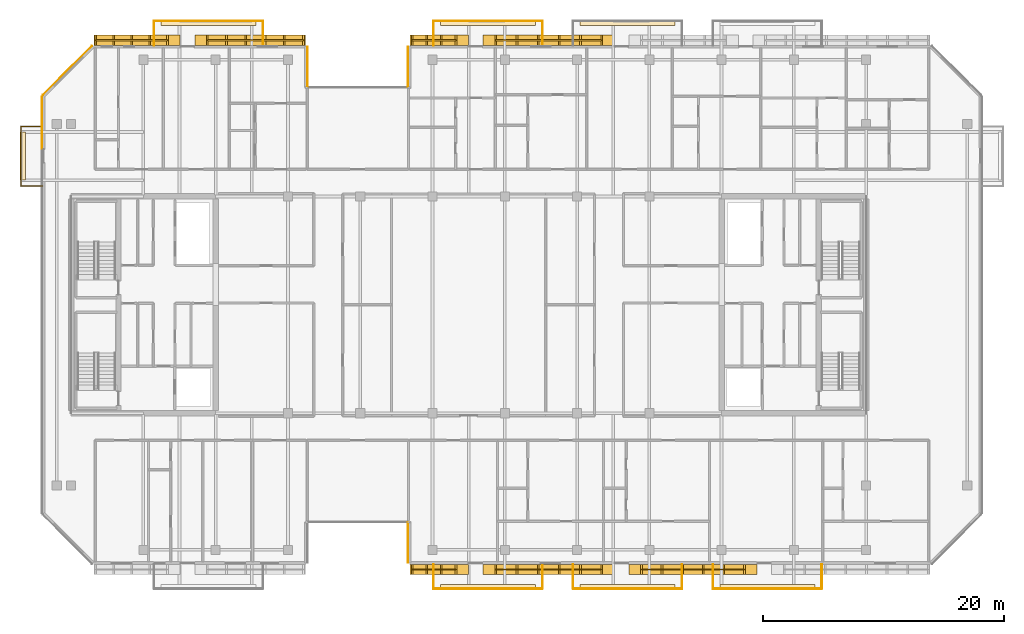
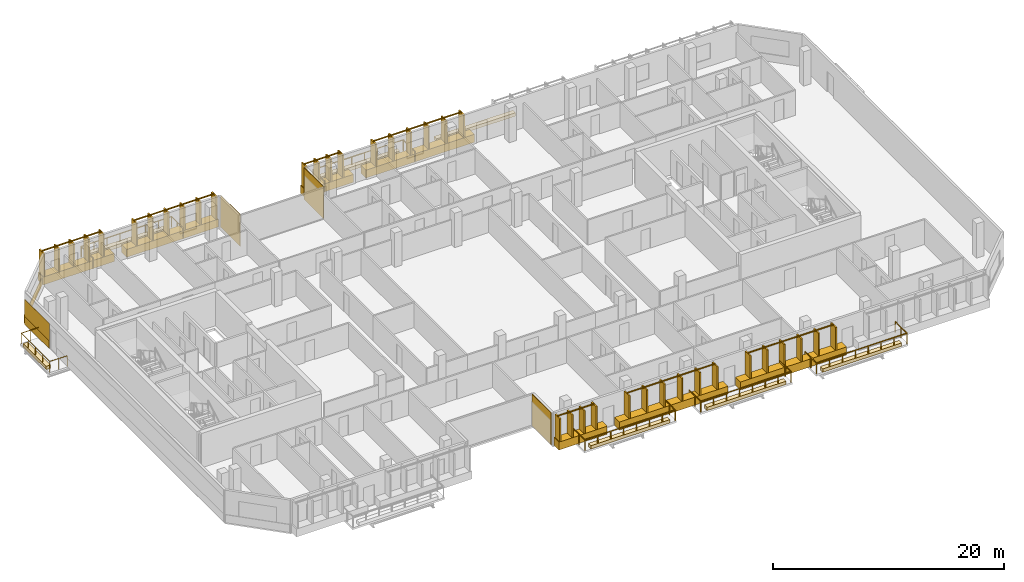
# One storey, part 20 of 23: 20 coverings, 13 railings.
"""IFC4 building model written with IfcOpenShell, lengths in metres."""

from ifc_helpers import new_model, si_unit, direction, frame, origin, origin_2d, place, context, subcontext, project, spatial, polyline, rectangle, outline, extrude, material, layer, layer_set, type_object, element, save


model = new_model("IFC4")

# Units and contexts
model_context = context("Model", 3, precision=1e-05, world=origin(), true_north=direction((0.0, 1.0)))
body_context = subcontext(model_context, "Body", "Model", "MODEL_VIEW")
ifc_project = project(units=[si_unit("LENGTHUNIT", "METRE"), si_unit("AREAUNIT", "SQUARE_METRE"), si_unit("VOLUMEUNIT", "CUBIC_METRE"), si_unit("PLANEANGLEUNIT", "RADIAN"), si_unit("MASSUNIT", "GRAM", prefix="KILO")], contexts=[model_context])

# Site, building, storey
site_placement = place(None, origin())
site = spatial("IfcSite", under=ifc_project, at=site_placement, CompositionType="ELEMENT")
building_placement = place(site_placement, origin())
building = spatial("IfcBuilding", under=site, at=building_placement, Name="Tanjung Sevakor Pilgrim Tower", CompositionType="ELEMENT")
storey_placement = place(building_placement, frame((0.0, 0.0, 215.489990234375)))
storey = spatial("IfcBuildingStorey", under=building, at=storey_placement, Name="L60", CompositionType="ELEMENT", Elevation=215.489990234375)

# Coverings
ifc_material_1 = material(Name="Reconstructed Limestone Cladding", Category="masonry")
ifc_layer_1 = layer(ifc_material_1, 0.044921875)
ifc_layer_set_1 = layer_set([ifc_layer_1], Name="COV-CLAD-LIMESTONE")
covering_type_1 = type_object("IfcCoveringType", Name="COV-CLAD-LIMESTONE", PredefinedType="CLADDING", material=ifc_layer_set_1)
covering_1_placement = place(storey_placement, frame((51.9775390625, 13.860107421875, 0.02001953125), z_axis=(0.0, 0.0, 1.0), x_axis=(0.0, -1.0, 0.0)))
element("IfcCovering", 1, at=covering_1_placement, inside=storey, type_object=covering_type_1, Name="L60 Warm Limestone Wall Cladding EW-L60-MAIN-4", PredefinedType="CLADDING", context=body_context, shape_type="SweptSolid", body=[
    extrude(rectangle(XDim=3.360107421875, YDim=0.044921875, at=origin_2d()), origin(), (0.0, 0.0, 1.0), 3.3701171875),
])
covering_2_placement = place(storey_placement, frame((54.570068359375, 11.6201171875, 0.009765625), z_axis=(0.0, 0.0, 1.0), x_axis=(1.0, 0.0, 0.0)))
element("IfcCovering", 2, at=covering_2_placement, inside=storey, type_object=covering_type_1, Name="L60 Warm Limestone Sill Spandrel EW-L60-MAIN-5-1", PredefinedType="CLADDING", context=body_context, shape_type="SweptSolid", body=[
    extrude(rectangle(XDim=4.840087890625, YDim=0.860107421875, at=origin_2d()), origin(), (0.0, 0.0, 1.0), 0.840087890625),
])
covering_3_placement = place(storey_placement, frame((63.64990234375, 11.6201171875, 0.009765625), z_axis=(0.0, 0.0, 1.0), x_axis=(1.0, 0.0, 0.0)))
element("IfcCovering", 3, at=covering_3_placement, inside=storey, type_object=covering_type_1, Name="L60 Warm Limestone Sill Spandrel EW-L60-MAIN-5-2", PredefinedType="CLADDING", context=body_context, shape_type="SweptSolid", body=[
    extrude(rectangle(XDim=10.8798828125, YDim=0.860107421875, at=origin_2d()), origin(), (0.0, 0.0, 1.0), 0.840087890625),
])
covering_4_placement = place(storey_placement, frame((75.625, 11.6201171875, 0.009765625), z_axis=(0.0, 0.0, 1.0), x_axis=(1.0, 0.0, 0.0)))
element("IfcCovering", 4, at=covering_4_placement, inside=storey, type_object=covering_type_1, Name="L60 Warm Limestone Sill Spandrel EW-L60-MAIN-5-3", PredefinedType="CLADDING", context=body_context, shape_type="SweptSolid", body=[
    extrude(rectangle(XDim=10.6298828125, YDim=0.860107421875, at=origin_2d()), origin(), (0.0, 0.0, 1.0), 0.840087890625),
])
covering_5_placement = place(storey_placement, frame((63.64990234375, 55.580078125, 0.009765625), z_axis=(0.0, 0.0, 1.0), x_axis=(-1.0, 0.0, 0.0)))
element("IfcCovering", 5, at=covering_5_placement, inside=storey, type_object=covering_type_1, Name="L60 Warm Limestone Sill Spandrel EW-L60-MAIN-9-3", PredefinedType="CLADDING", context=body_context, shape_type="SweptSolid", body=[
    extrude(rectangle(XDim=10.8798828125, YDim=0.860107421875, at=origin_2d()), origin(), (0.0, 0.0, 1.0), 0.840087890625),
])
covering_6_placement = place(storey_placement, frame((54.570068359375, 55.580078125, 0.009765625), z_axis=(0.0, 0.0, 1.0), x_axis=(-1.0, 0.0, 0.0)))
element("IfcCovering", 6, at=covering_6_placement, inside=storey, type_object=covering_type_1, Name="L60 Warm Limestone Sill Spandrel EW-L60-MAIN-9-4", PredefinedType="CLADDING", context=body_context, shape_type="SweptSolid", body=[
    extrude(rectangle(XDim=4.840087890625, YDim=0.860107421875, at=origin_2d()), origin(), (0.0, 0.0, 1.0), 0.840087890625),
])
for number, where, z_axis, x_axis, name in (
    (7, (51.9775390625, 53.340087890625, 0.02001953125), (0.0, 0.0, 1.0), (0.0, -1.0, 0.0), "L60 Warm Limestone Wall Cladding EW-L60-MAIN-10"),
    (8, (43.62255859375, 53.340087890625, 0.02001953125), (0.0, 0.0, 1.0), (0.0, 1.0, 0.0), "L60 Warm Limestone Wall Cladding EW-L60-MAIN-12"),
):
    element("IfcCovering", number, at=place(storey_placement, frame(where, z_axis=z_axis, x_axis=x_axis)), inside=storey, type_object=covering_type_1, Name=name, PredefinedType="CLADDING", context=body_context, shape_type="SweptSolid", body=[
        extrude(rectangle(XDim=3.360107421875, YDim=0.044921875, at=origin_2d()), origin(), (0.0, 0.0, 1.0), 3.3701171875),
    ])
covering_7_placement = place(storey_placement, frame((38.85498046875, 55.580078125, 0.009765625), z_axis=(0.0, 0.0, 1.0), x_axis=(-1.0, 0.0, 0.0)))
element("IfcCovering", 9, at=covering_7_placement, inside=storey, type_object=covering_type_1, Name="L60 Warm Limestone Sill Spandrel EW-L60-MAIN-13-1", PredefinedType="CLADDING", context=body_context, shape_type="SweptSolid", body=[
    extrude(rectangle(XDim=9.18994140625, YDim=0.860107421875, at=origin_2d()), origin(), (0.0, 0.0, 1.0), 0.840087890625),
])
covering_8_placement = place(storey_placement, frame((29.462890625, 55.580078125, 0.009765625), z_axis=(0.0, 0.0, 1.0), x_axis=(-1.0, 0.0, 0.0)))
element("IfcCovering", 10, at=covering_8_placement, inside=storey, type_object=covering_type_1, Name="L60 Warm Limestone Sill Spandrel EW-L60-MAIN-13-2", PredefinedType="CLADDING", context=body_context, shape_type="SweptSolid", body=[
    extrude(rectangle(XDim=7.154296875, YDim=0.860107421875, at=origin_2d()), origin(), (0.0, 0.0, 1.0), 0.840087890625),
])
covering_9_placement = place(storey_placement, frame((23.68408203125, 53.06591796875, 0.009765625), z_axis=(0.0, 0.0, 1.0), x_axis=(-0.707106781187, -0.707106781187, 0.0)))
element("IfcCovering", 11, at=covering_9_placement, inside=storey, type_object=covering_type_1, Name="L60 Warm Limestone Sill Spandrel EW-CHM-L60-MAIN-13-1", PredefinedType="CLADDING", context=body_context, shape_type="SweptSolid", body=[
    extrude(rectangle(XDim=5.7685546875, YDim=0.044921875, at=origin_2d()), origin(), (0.0, 0.0, 1.0), 0.840087890625),
])
covering_10_placement = place(storey_placement, frame((21.577392578125, 48.712158203125, 0.009765625), z_axis=(0.0, 0.0, 1.0), x_axis=(0.0, -1.0, 0.0)))
element("IfcCovering", 12, at=covering_10_placement, inside=storey, type_object=covering_type_1, Name="L60 Warm Limestone Sill Spandrel EW-L60-MAIN-15-1", PredefinedType="CLADDING", context=body_context, shape_type="SweptSolid", body=[
    extrude(rectangle(XDim=4.304443359375, YDim=0.044921875, at=origin_2d()), origin(), (0.0, 0.0, 1.0), 0.840087890625),
])
covering_11_placement = place(storey_placement, frame((21.577392578125, 48.707275390625, 0.85009765625), z_axis=(0.0, 0.0, 1.0), x_axis=(0.0, -1.0, 0.0)))
element("IfcCovering", 13, at=covering_11_placement, inside=storey, type_object=covering_type_1, Name="L60 Warm Limestone Pier Panel EW-L60-MAIN-15-1", PredefinedType="CLADDING", context=body_context, shape_type="SweptSolid", body=[
    extrude(rectangle(XDim=4.314453125, YDim=0.044921875, at=origin_2d()), origin(), (0.0, 0.0, 1.0), 1.81005859375),
])
ifc_material_2 = material(Name="Vegetated Modular Planter Assembly", Category="organic")
ifc_layer_2 = layer(ifc_material_2, 0.35009765625)
ifc_layer_set_2 = layer_set([ifc_layer_2], Name="COV-GRN-TROUGH")
covering_type_2 = type_object("IfcCoveringType", Name="COV-GRN-TROUGH", PredefinedType="CLADDING", material=ifc_layer_set_2)
covering_12_placement = place(storey_placement, origin())
element("IfcCovering", 14, at=covering_12_placement, inside=storey, type_object=covering_type_2, Name="L60 Planted Landscape Hedge Trough BGRN-L60-MAIN-N1", PredefinedType="CLADDING", context=body_context, shape_type="SweptSolid", body=[
    extrude(outline(polyline([(31.449951171875, 56.81005859375), (39.35009765625, 56.81005859375), (39.35009765625, 57.25), (31.449951171875, 57.25), (31.449951171875, 56.81005859375)])), origin(), (0.0, 0.0, 1.0), 0.35009765625),
])
covering_13_placement = place(storey_placement, origin())
element("IfcCovering", 15, at=covering_13_placement, inside=storey, type_object=covering_type_2, Name="L60 Planted Landscape Hedge Trough BGRN-L60-MAIN-S2", PredefinedType="CLADDING", context=body_context, shape_type="SweptSolid", body=[
    extrude(outline(polyline([(54.64990234375, 9.949951171875), (62.550048828125, 9.949951171875), (62.550048828125, 10.389892578125), (54.64990234375, 10.389892578125), (54.64990234375, 9.949951171875)])), origin(), (0.0, 0.0, 1.0), 0.35009765625),
])
covering_14_placement = place(storey_placement, origin())
element("IfcCovering", 16, at=covering_14_placement, inside=storey, type_object=covering_type_2, Name="L60 Planted Landscape Hedge Trough BGRN-L60-MAIN-N2", PredefinedType="CLADDING", context=body_context, shape_type="SweptSolid", body=[
    extrude(outline(polyline([(54.64990234375, 56.81005859375), (62.550048828125, 56.81005859375), (62.550048828125, 57.25), (54.64990234375, 57.25), (54.64990234375, 56.81005859375)])), origin(), (0.0, 0.0, 1.0), 0.35009765625),
])
covering_15_placement = place(storey_placement, origin())
element("IfcCovering", 17, at=covering_15_placement, inside=storey, type_object=covering_type_2, Name="L60 Planted Landscape Hedge Trough BGRN-L60-MAIN-S3", PredefinedType="CLADDING", context=body_context, shape_type="SweptSolid", body=[
    extrude(outline(polyline([(66.25, 9.949951171875), (74.14990234375, 9.949951171875), (74.14990234375, 10.389892578125), (66.25, 10.389892578125), (66.25, 9.949951171875)])), origin(), (0.0, 0.0, 1.0), 0.35009765625),
])
covering_16_placement = place(storey_placement, origin())
element("IfcCovering", 18, at=covering_16_placement, inside=storey, type_object=covering_type_2, Name="L60 Planted Landscape Hedge Trough BGRN-L60-MAIN-N3", PredefinedType="CLADDING", context=body_context, shape_type="SweptSolid", body=[
    extrude(outline(polyline([(66.25, 56.81005859375), (74.14990234375, 56.81005859375), (74.14990234375, 57.25), (66.25, 57.25), (66.25, 56.81005859375)])), origin(), (0.0, 0.0, 1.0), 0.35009765625),
])
covering_17_placement = place(storey_placement, origin())
element("IfcCovering", 19, at=covering_17_placement, inside=storey, type_object=covering_type_2, Name="L60 Planted Landscape Hedge Trough BGRN-L60-MAIN-S4", PredefinedType="CLADDING", context=body_context, shape_type="SweptSolid", body=[
    extrude(outline(polyline([(77.85009765625, 9.949951171875), (85.75, 9.949951171875), (85.75, 10.389892578125), (77.85009765625, 10.389892578125), (77.85009765625, 9.949951171875)])), origin(), (0.0, 0.0, 1.0), 0.35009765625),
])
covering_18_placement = place(storey_placement, origin())
element("IfcCovering", 20, at=covering_18_placement, inside=storey, type_object=covering_type_2, Name="L60 Planted Landscape Hedge Trough BGRN-L60-MAIN-W1", PredefinedType="CLADDING", context=body_context, shape_type="SweptSolid", body=[
    extrude(outline(polyline([(20.18994140625, 43.949951171875), (20.18994140625, 47.949951171875), (19.75, 47.949951171875), (19.75, 43.949951171875), (20.18994140625, 43.949951171875)])), origin(), (0.0, 0.0, 1.0), 0.35009765625),
])

# Railings
ifc_material_3 = material(Name="Laminated Glass and Aluminium", Category="aluminium")
railing_type_1 = type_object("IfcRailingType", Name="RL-BAL-BALUST", PredefinedType="BALUSTRADE", material=ifc_material_3)
railing_1_placement = place(storey_placement, frame((30.8798828125, 55.14990234375, 0.0)))
element("IfcRailing", 21, at=railing_1_placement, inside=storey, type_object=railing_type_1, Name="L60 Loggia Balustrade MAIN-N1", PredefinedType="BALUSTRADE", context=body_context, shape_type="SweptSolid", body=[
    extrude(rectangle(XDim=0.0479, YDim=0.0479), frame((0.0, 0.0, 1.1259765625), z_axis=(0.0, 1.0, 0.0), x_axis=(-1.0, 0.0, 0.0)), (0.0, 0.0, 1.0), 2.02001953125),
    extrude(rectangle(XDim=0.0479, YDim=0.0479), frame((0.0, 2.02001953125, 1.1259765625), z_axis=(1.0, 0.0, 0.0), x_axis=(0.0, 1.0, 0.0)), (0.0, 0.0, 1.0), 9.0400390625),
    extrude(rectangle(XDim=0.0479, YDim=0.0479), frame((9.0400390625, 2.02001953125, 1.1259765625), z_axis=(0.0, -1.0, 0.0), x_axis=(1.0, 0.0, 0.0)), (0.0, 0.0, 1.0), 2.02001953125),
    extrude(rectangle(XDim=0.042, YDim=0.042), origin(), (0.0, 0.0, 1.0), 1.101806640625),
    extrude(rectangle(XDim=0.042, YDim=0.042), frame((0.0, 1.010009765625, 0.0)), (0.0, 0.0, 1.0), 1.101806640625),
    extrude(rectangle(XDim=0.042, YDim=0.042), frame((0.0, 2.02001953125, 0.0)), (0.0, 0.0, 1.0), 1.101806640625),
    extrude(rectangle(XDim=0.042, YDim=0.042), frame((1.29150390625, 2.02001953125, 0.0)), (0.0, 0.0, 1.0), 1.101806640625),
    extrude(rectangle(XDim=0.042, YDim=0.042), frame((2.582763671875, 2.02001953125, 0.0)), (0.0, 0.0, 1.0), 1.101806640625),
    extrude(rectangle(XDim=0.042, YDim=0.042), frame((3.874267578125, 2.02001953125, 0.0)), (0.0, 0.0, 1.0), 1.101806640625),
    extrude(rectangle(XDim=0.042, YDim=0.042), frame((5.165771484375, 2.02001953125, 0.0)), (0.0, 0.0, 1.0), 1.101806640625),
    extrude(rectangle(XDim=0.042, YDim=0.042), frame((6.457275390625, 2.02001953125, 0.0)), (0.0, 0.0, 1.0), 1.101806640625),
    extrude(rectangle(XDim=0.042, YDim=0.042), frame((7.74853515625, 2.02001953125, 0.0)), (0.0, 0.0, 1.0), 1.101806640625),
    extrude(rectangle(XDim=0.042, YDim=0.042), frame((9.0400390625, 2.02001953125, 0.0)), (0.0, 0.0, 1.0), 1.101806640625),
    extrude(rectangle(XDim=0.042, YDim=0.042), frame((9.0400390625, 1.010009765625, 0.0)), (0.0, 0.0, 1.0), 1.101806640625),
    extrude(rectangle(XDim=0.042, YDim=0.042), frame((9.0400390625, 0.0, 0.0)), (0.0, 0.0, 1.0), 1.101806640625),
])
railing_2_placement = place(storey_placement, frame((54.080078125, 12.050048828125, 0.0)))
element("IfcRailing", 22, at=railing_2_placement, inside=storey, type_object=railing_type_1, Name="L60 Loggia Balustrade MAIN-S2", PredefinedType="BALUSTRADE", context=body_context, shape_type="SweptSolid", body=[
    extrude(rectangle(XDim=0.0479, YDim=0.0479), frame((0.0, 0.0, 1.1259765625), z_axis=(0.0, -1.0, 0.0), x_axis=(1.0, 0.0, 0.0)), (0.0, 0.0, 1.0), 2.02001953125),
    extrude(rectangle(XDim=0.0479, YDim=0.0479), frame((0.0, -2.02001953125, 1.1259765625), z_axis=(1.0, 0.0, 0.0), x_axis=(0.0, 1.0, 0.0)), (0.0, 0.0, 1.0), 9.0400390625),
    extrude(rectangle(XDim=0.0479, YDim=0.0479), frame((9.0400390625, -2.02001953125, 1.1259765625), z_axis=(0.0, 1.0, 0.0), x_axis=(-1.0, 0.0, 0.0)), (0.0, 0.0, 1.0), 2.02001953125),
    extrude(rectangle(XDim=0.042, YDim=0.042), origin(), (0.0, 0.0, 1.0), 1.101806640625),
    extrude(rectangle(XDim=0.042, YDim=0.042), frame((0.0, -1.010009765625, 0.0)), (0.0, 0.0, 1.0), 1.101806640625),
    extrude(rectangle(XDim=0.042, YDim=0.042), frame((0.0, -2.02001953125, 0.0)), (0.0, 0.0, 1.0), 1.101806640625),
    extrude(rectangle(XDim=0.042, YDim=0.042), frame((1.29150390625, -2.02001953125, 0.0)), (0.0, 0.0, 1.0), 1.101806640625),
    extrude(rectangle(XDim=0.042, YDim=0.042), frame((2.582763671875, -2.02001953125, 0.0)), (0.0, 0.0, 1.0), 1.101806640625),
    extrude(rectangle(XDim=0.042, YDim=0.042), frame((3.874267578125, -2.02001953125, 0.0)), (0.0, 0.0, 1.0), 1.101806640625),
    extrude(rectangle(XDim=0.042, YDim=0.042), frame((5.165771484375, -2.02001953125, 0.0)), (0.0, 0.0, 1.0), 1.101806640625),
    extrude(rectangle(XDim=0.042, YDim=0.042), frame((6.457275390625, -2.02001953125, 0.0)), (0.0, 0.0, 1.0), 1.101806640625),
    extrude(rectangle(XDim=0.042, YDim=0.042), frame((7.74853515625, -2.02001953125, 0.0)), (0.0, 0.0, 1.0), 1.101806640625),
    extrude(rectangle(XDim=0.042, YDim=0.042), frame((9.0400390625, -2.02001953125, 0.0)), (0.0, 0.0, 1.0), 1.101806640625),
    extrude(rectangle(XDim=0.042, YDim=0.042), frame((9.0400390625, -1.010009765625, 0.0)), (0.0, 0.0, 1.0), 1.101806640625),
    extrude(rectangle(XDim=0.042, YDim=0.042), frame((9.0400390625, 0.0, 0.0)), (0.0, 0.0, 1.0), 1.101806640625),
])
railing_3_placement = place(storey_placement, frame((54.080078125, 55.14990234375, 0.0)))
element("IfcRailing", 23, at=railing_3_placement, inside=storey, type_object=railing_type_1, Name="L60 Loggia Balustrade MAIN-N2", PredefinedType="BALUSTRADE", context=body_context, shape_type="SweptSolid", body=[
    extrude(rectangle(XDim=0.0479, YDim=0.0479), frame((0.0, 0.0, 1.1259765625), z_axis=(0.0, 1.0, 0.0), x_axis=(-1.0, 0.0, 0.0)), (0.0, 0.0, 1.0), 2.02001953125),
    extrude(rectangle(XDim=0.0479, YDim=0.0479), frame((0.0, 2.02001953125, 1.1259765625), z_axis=(1.0, 0.0, 0.0), x_axis=(0.0, 1.0, 0.0)), (0.0, 0.0, 1.0), 9.0400390625),
    extrude(rectangle(XDim=0.0479, YDim=0.0479), frame((9.0400390625, 2.02001953125, 1.1259765625), z_axis=(0.0, -1.0, 0.0), x_axis=(1.0, 0.0, 0.0)), (0.0, 0.0, 1.0), 2.02001953125),
    extrude(rectangle(XDim=0.042, YDim=0.042), origin(), (0.0, 0.0, 1.0), 1.101806640625),
    extrude(rectangle(XDim=0.042, YDim=0.042), frame((0.0, 1.010009765625, 0.0)), (0.0, 0.0, 1.0), 1.101806640625),
    extrude(rectangle(XDim=0.042, YDim=0.042), frame((0.0, 2.02001953125, 0.0)), (0.0, 0.0, 1.0), 1.101806640625),
    extrude(rectangle(XDim=0.042, YDim=0.042), frame((1.29150390625, 2.02001953125, 0.0)), (0.0, 0.0, 1.0), 1.101806640625),
    extrude(rectangle(XDim=0.042, YDim=0.042), frame((2.582763671875, 2.02001953125, 0.0)), (0.0, 0.0, 1.0), 1.101806640625),
    extrude(rectangle(XDim=0.042, YDim=0.042), frame((3.874267578125, 2.02001953125, 0.0)), (0.0, 0.0, 1.0), 1.101806640625),
    extrude(rectangle(XDim=0.042, YDim=0.042), frame((5.165771484375, 2.02001953125, 0.0)), (0.0, 0.0, 1.0), 1.101806640625),
    extrude(rectangle(XDim=0.042, YDim=0.042), frame((6.457275390625, 2.02001953125, 0.0)), (0.0, 0.0, 1.0), 1.101806640625),
    extrude(rectangle(XDim=0.042, YDim=0.042), frame((7.74853515625, 2.02001953125, 0.0)), (0.0, 0.0, 1.0), 1.101806640625),
    extrude(rectangle(XDim=0.042, YDim=0.042), frame((9.0400390625, 2.02001953125, 0.0)), (0.0, 0.0, 1.0), 1.101806640625),
    extrude(rectangle(XDim=0.042, YDim=0.042), frame((9.0400390625, 1.010009765625, 0.0)), (0.0, 0.0, 1.0), 1.101806640625),
    extrude(rectangle(XDim=0.042, YDim=0.042), frame((9.0400390625, 0.0, 0.0)), (0.0, 0.0, 1.0), 1.101806640625),
])
railing_4_placement = place(storey_placement, frame((65.679931640625, 12.050048828125, 0.0)))
element("IfcRailing", 24, at=railing_4_placement, inside=storey, type_object=railing_type_1, Name="L60 Loggia Balustrade MAIN-S3", PredefinedType="BALUSTRADE", context=body_context, shape_type="SweptSolid", body=[
    extrude(rectangle(XDim=0.0479, YDim=0.0479), frame((0.0, 0.0, 1.1259765625), z_axis=(0.0, -1.0, 0.0), x_axis=(1.0, 0.0, 0.0)), (0.0, 0.0, 1.0), 2.02001953125),
    extrude(rectangle(XDim=0.0479, YDim=0.0479), frame((0.0, -2.02001953125, 1.1259765625), z_axis=(1.0, 0.0, 0.0), x_axis=(0.0, 1.0, 0.0)), (0.0, 0.0, 1.0), 9.0400390625),
    extrude(rectangle(XDim=0.0479, YDim=0.0479), frame((9.0400390625, -2.02001953125, 1.1259765625), z_axis=(0.0, 1.0, 0.0), x_axis=(-1.0, 0.0, 0.0)), (0.0, 0.0, 1.0), 2.02001953125),
    extrude(rectangle(XDim=0.042, YDim=0.042), origin(), (0.0, 0.0, 1.0), 1.101806640625),
    extrude(rectangle(XDim=0.042, YDim=0.042), frame((0.0, -1.010009765625, 0.0)), (0.0, 0.0, 1.0), 1.101806640625),
    extrude(rectangle(XDim=0.042, YDim=0.042), frame((0.0, -2.02001953125, 0.0)), (0.0, 0.0, 1.0), 1.101806640625),
    extrude(rectangle(XDim=0.042, YDim=0.042), frame((1.29150390625, -2.02001953125, 0.0)), (0.0, 0.0, 1.0), 1.101806640625),
    extrude(rectangle(XDim=0.042, YDim=0.042), frame((2.582763671875, -2.02001953125, 0.0)), (0.0, 0.0, 1.0), 1.101806640625),
    extrude(rectangle(XDim=0.042, YDim=0.042), frame((3.874267578125, -2.02001953125, 0.0)), (0.0, 0.0, 1.0), 1.101806640625),
    extrude(rectangle(XDim=0.042, YDim=0.042), frame((5.165771484375, -2.02001953125, 0.0)), (0.0, 0.0, 1.0), 1.101806640625),
    extrude(rectangle(XDim=0.042, YDim=0.042), frame((6.457275390625, -2.02001953125, 0.0)), (0.0, 0.0, 1.0), 1.101806640625),
    extrude(rectangle(XDim=0.042, YDim=0.042), frame((7.74853515625, -2.02001953125, 0.0)), (0.0, 0.0, 1.0), 1.101806640625),
    extrude(rectangle(XDim=0.042, YDim=0.042), frame((9.0400390625, -2.02001953125, 0.0)), (0.0, 0.0, 1.0), 1.101806640625),
    extrude(rectangle(XDim=0.042, YDim=0.042), frame((9.0400390625, -1.010009765625, 0.0)), (0.0, 0.0, 1.0), 1.101806640625),
    extrude(rectangle(XDim=0.042, YDim=0.042), frame((9.0400390625, 0.0, 0.0)), (0.0, 0.0, 1.0), 1.101806640625),
])
railing_5_placement = place(storey_placement, frame((77.280029296875, 12.050048828125, 0.0)))
element("IfcRailing", 25, at=railing_5_placement, inside=storey, type_object=railing_type_1, Name="L60 Loggia Balustrade MAIN-S4", PredefinedType="BALUSTRADE", context=body_context, shape_type="SweptSolid", body=[
    extrude(rectangle(XDim=0.0479, YDim=0.0479), frame((0.0, 0.0, 1.1259765625), z_axis=(0.0, -1.0, 0.0), x_axis=(1.0, 0.0, 0.0)), (0.0, 0.0, 1.0), 2.02001953125),
    extrude(rectangle(XDim=0.0479, YDim=0.0479), frame((0.0, -2.02001953125, 1.1259765625), z_axis=(1.0, 0.0, 0.0), x_axis=(0.0, 1.0, 0.0)), (0.0, 0.0, 1.0), 9.0400390625),
    extrude(rectangle(XDim=0.0479, YDim=0.0479), frame((9.0400390625, -2.02001953125, 1.1259765625), z_axis=(0.0, 1.0, 0.0), x_axis=(-1.0, 0.0, 0.0)), (0.0, 0.0, 1.0), 2.02001953125),
    extrude(rectangle(XDim=0.042, YDim=0.042), origin(), (0.0, 0.0, 1.0), 1.101806640625),
    extrude(rectangle(XDim=0.042, YDim=0.042), frame((0.0, -1.010009765625, 0.0)), (0.0, 0.0, 1.0), 1.101806640625),
    extrude(rectangle(XDim=0.042, YDim=0.042), frame((0.0, -2.02001953125, 0.0)), (0.0, 0.0, 1.0), 1.101806640625),
    extrude(rectangle(XDim=0.042, YDim=0.042), frame((1.29150390625, -2.02001953125, 0.0)), (0.0, 0.0, 1.0), 1.101806640625),
    extrude(rectangle(XDim=0.042, YDim=0.042), frame((2.582763671875, -2.02001953125, 0.0)), (0.0, 0.0, 1.0), 1.101806640625),
    extrude(rectangle(XDim=0.042, YDim=0.042), frame((3.874267578125, -2.02001953125, 0.0)), (0.0, 0.0, 1.0), 1.101806640625),
    extrude(rectangle(XDim=0.042, YDim=0.042), frame((5.165771484375, -2.02001953125, 0.0)), (0.0, 0.0, 1.0), 1.101806640625),
    extrude(rectangle(XDim=0.042, YDim=0.042), frame((6.457275390625, -2.02001953125, 0.0)), (0.0, 0.0, 1.0), 1.101806640625),
    extrude(rectangle(XDim=0.042, YDim=0.042), frame((7.74853515625, -2.02001953125, 0.0)), (0.0, 0.0, 1.0), 1.101806640625),
    extrude(rectangle(XDim=0.042, YDim=0.042), frame((9.0400390625, -2.02001953125, 0.0)), (0.0, 0.0, 1.0), 1.101806640625),
    extrude(rectangle(XDim=0.042, YDim=0.042), frame((9.0400390625, -1.010009765625, 0.0)), (0.0, 0.0, 1.0), 1.101806640625),
    extrude(rectangle(XDim=0.042, YDim=0.042), frame((9.0400390625, 0.0, 0.0)), (0.0, 0.0, 1.0), 1.101806640625),
])
railing_6_placement = place(storey_placement, frame((21.60009765625, 43.47998046875, 0.0)))
element("IfcRailing", 26, at=railing_6_placement, inside=storey, type_object=railing_type_1, Name="L60 Loggia Balustrade MAIN-W1", PredefinedType="BALUSTRADE", context=body_context, shape_type="SweptSolid", body=[
    extrude(rectangle(XDim=0.0479, YDim=0.0479), frame((0.0, 0.0, 1.1259765625), z_axis=(-1.0, 0.0, 0.0), x_axis=(0.0, -1.0, 0.0)), (0.0, 0.0, 1.0), 1.77001953125),
    extrude(rectangle(XDim=0.0479, YDim=0.0479), frame((-1.77001953125, 0.0, 1.1259765625), z_axis=(0.0, 1.0, 0.0), x_axis=(-1.0, 0.0, 0.0)), (0.0, 0.0, 1.0), 4.93994140625),
    extrude(rectangle(XDim=0.0479, YDim=0.0479), frame((-1.77001953125, 4.93994140625, 1.1259765625), z_axis=(1.0, 0.0, 0.0), x_axis=(0.0, 1.0, 0.0)), (0.0, 0.0, 1.0), 1.77001953125),
    extrude(rectangle(XDim=0.042, YDim=0.042), origin(), (0.0, 0.0, 1.0), 1.101806640625),
    extrude(rectangle(XDim=0.042, YDim=0.042), frame((-0.885009765625, 0.0, 0.0)), (0.0, 0.0, 1.0), 1.101806640625),
    extrude(rectangle(XDim=0.042, YDim=0.042), frame((-1.77001953125, 0.0, 0.0)), (0.0, 0.0, 1.0), 1.101806640625),
    extrude(rectangle(XDim=0.042, YDim=0.042), frame((-1.77001953125, 1.23486328125, 0.0)), (0.0, 0.0, 1.0), 1.101806640625),
    extrude(rectangle(XDim=0.042, YDim=0.042), frame((-1.77001953125, 2.469970703125, 0.0)), (0.0, 0.0, 1.0), 1.101806640625),
    extrude(rectangle(XDim=0.042, YDim=0.042), frame((-1.77001953125, 3.705078125, 0.0)), (0.0, 0.0, 1.0), 1.101806640625),
    extrude(rectangle(XDim=0.042, YDim=0.042), frame((-1.77001953125, 4.93994140625, 0.0)), (0.0, 0.0, 1.0), 1.101806640625),
    extrude(rectangle(XDim=0.042, YDim=0.042), frame((-0.885009765625, 4.93994140625, 0.0)), (0.0, 0.0, 1.0), 1.101806640625),
    extrude(rectangle(XDim=0.042, YDim=0.042), frame((0.0, 4.93994140625, 0.0)), (0.0, 0.0, 1.0), 1.101806640625),
])
ifc_material_4 = material(Name="Anodised Bronze Aluminium 6063-T6", Category="aluminium")
railing_type_2 = type_object("IfcRailingType", Name="RL-FIN-SCREEN", PredefinedType="BALUSTRADE", material=ifc_material_4)
railing_7_placement = place(storey_placement, frame((52.31005859375, 11.625, 0.840087890625)))
element("IfcRailing", 27, at=railing_7_placement, inside=storey, type_object=railing_type_2, Name="L60 Vertical Bronze-Gold Solar Fin Screen FNSCR-EW-L60-MAIN-5-1", PredefinedType="BALUSTRADE", context=body_context, shape_type="SweptSolid", body=[
    extrude(rectangle(XDim=0.105, YDim=0.105), frame((0.0, 0.0, 2.487548828125), z_axis=(1.0, 0.0, 0.0), x_axis=(0.0, 1.0, 0.0)), (0.0, 0.0, 1.0), 3.639892578125),
    extrude(rectangle(XDim=0.14, YDim=0.85), origin(), (0.0, 0.0, 1.0), 2.43505859375),
    extrude(rectangle(XDim=0.14, YDim=0.85), frame((1.21337890625, 0.0, 0.0)), (0.0, 0.0, 1.0), 2.43505859375),
    extrude(rectangle(XDim=0.14, YDim=0.85), frame((2.426513671875, 0.0, 0.0)), (0.0, 0.0, 1.0), 2.43505859375),
    extrude(rectangle(XDim=0.14, YDim=0.85), frame((3.639892578125, 0.0, 0.0)), (0.0, 0.0, 1.0), 2.43505859375),
])
railing_8_placement = place(storey_placement, frame((59.25, 11.625, 0.840087890625)))
element("IfcRailing", 28, at=railing_8_placement, inside=storey, type_object=railing_type_2, Name="L60 Vertical Bronze-Gold Solar Fin Screen FNSCR-EW-L60-MAIN-5-2", PredefinedType="BALUSTRADE", context=body_context, shape_type="SweptSolid", body=[
    extrude(rectangle(XDim=0.105, YDim=0.105), frame((0.0, 0.0, 2.487548828125), z_axis=(1.0, 0.0, 0.0), x_axis=(0.0, 1.0, 0.0)), (0.0, 0.0, 1.0), 8.800048828125),
    extrude(rectangle(XDim=0.14, YDim=0.85), origin(), (0.0, 0.0, 1.0), 2.43505859375),
    extrude(rectangle(XDim=0.14, YDim=0.85), frame((1.760009765625, 0.0, 0.0)), (0.0, 0.0, 1.0), 2.43505859375),
    extrude(rectangle(XDim=0.14, YDim=0.85), frame((3.52001953125, 0.0, 0.0)), (0.0, 0.0, 1.0), 2.43505859375),
    extrude(rectangle(XDim=0.14, YDim=0.85), frame((5.280029296875, 0.0, 0.0)), (0.0, 0.0, 1.0), 2.43505859375),
    extrude(rectangle(XDim=0.14, YDim=0.85), frame((7.0400390625, 0.0, 0.0)), (0.0, 0.0, 1.0), 2.43505859375),
    extrude(rectangle(XDim=0.14, YDim=0.85), frame((8.800048828125, 0.0, 0.0)), (0.0, 0.0, 1.0), 2.43505859375),
])
railing_9_placement = place(storey_placement, frame((71.35009765625, 11.625, 0.840087890625)))
element("IfcRailing", 29, at=railing_9_placement, inside=storey, type_object=railing_type_2, Name="L60 Vertical Bronze-Gold Solar Fin Screen FNSCR-EW-L60-MAIN-5-3", PredefinedType="BALUSTRADE", context=body_context, shape_type="SweptSolid", body=[
    extrude(rectangle(XDim=0.105, YDim=0.105), frame((0.0, 0.0, 2.487548828125), z_axis=(1.0, 0.0, 0.0), x_axis=(0.0, 1.0, 0.0)), (0.0, 0.0, 1.0), 8.5498046875),
    extrude(rectangle(XDim=0.14, YDim=0.85), origin(), (0.0, 0.0, 1.0), 2.43505859375),
    extrude(rectangle(XDim=0.14, YDim=0.85), frame((1.7099609375, 0.0, 0.0)), (0.0, 0.0, 1.0), 2.43505859375),
    extrude(rectangle(XDim=0.14, YDim=0.85), frame((3.419921875, 0.0, 0.0)), (0.0, 0.0, 1.0), 2.43505859375),
    extrude(rectangle(XDim=0.14, YDim=0.85), frame((5.1298828125, 0.0, 0.0)), (0.0, 0.0, 1.0), 2.43505859375),
    extrude(rectangle(XDim=0.14, YDim=0.85), frame((6.83984375, 0.0, 0.0)), (0.0, 0.0, 1.0), 2.43505859375),
    extrude(rectangle(XDim=0.14, YDim=0.85), frame((8.5498046875, 0.0, 0.0)), (0.0, 0.0, 1.0), 2.43505859375),
])
railing_10_placement = place(storey_placement, frame((68.050048828125, 55.574951171875, 0.840087890625)))
element("IfcRailing", 30, at=railing_10_placement, inside=storey, type_object=railing_type_2, Name="L60 Vertical Bronze-Gold Solar Fin Screen FNSCR-EW-L60-MAIN-9-3", PredefinedType="BALUSTRADE", context=body_context, shape_type="SweptSolid", body=[
    extrude(rectangle(XDim=0.105, YDim=0.105), frame((0.0, 0.0, 2.487548828125), z_axis=(-1.0, 0.0, 0.0), x_axis=(0.0, -1.0, 0.0)), (0.0, 0.0, 1.0), 8.800048828125),
    extrude(rectangle(XDim=0.14, YDim=0.85), origin(), (0.0, 0.0, 1.0), 2.43505859375),
    extrude(rectangle(XDim=0.14, YDim=0.85), frame((-1.760009765625, 0.0, 0.0)), (0.0, 0.0, 1.0), 2.43505859375),
    extrude(rectangle(XDim=0.14, YDim=0.85), frame((-3.52001953125, 0.0, 0.0)), (0.0, 0.0, 1.0), 2.43505859375),
    extrude(rectangle(XDim=0.14, YDim=0.85), frame((-5.280029296875, 0.0, 0.0)), (0.0, 0.0, 1.0), 2.43505859375),
    extrude(rectangle(XDim=0.14, YDim=0.85), frame((-7.0400390625, 0.0, 0.0)), (0.0, 0.0, 1.0), 2.43505859375),
    extrude(rectangle(XDim=0.14, YDim=0.85), frame((-8.800048828125, 0.0, 0.0)), (0.0, 0.0, 1.0), 2.43505859375),
])
railing_11_placement = place(storey_placement, frame((55.949951171875, 55.574951171875, 0.840087890625)))
element("IfcRailing", 31, at=railing_11_placement, inside=storey, type_object=railing_type_2, Name="L60 Vertical Bronze-Gold Solar Fin Screen FNSCR-EW-L60-MAIN-9-4", PredefinedType="BALUSTRADE", context=body_context, shape_type="SweptSolid", body=[
    extrude(rectangle(XDim=0.105, YDim=0.105), frame((0.0, 0.0, 2.487548828125), z_axis=(-1.0, 0.0, 0.0), x_axis=(0.0, -1.0, 0.0)), (0.0, 0.0, 1.0), 3.639892578125),
    extrude(rectangle(XDim=0.14, YDim=0.85), origin(), (0.0, 0.0, 1.0), 2.43505859375),
    extrude(rectangle(XDim=0.14, YDim=0.85), frame((-1.21337890625, 0.0, 0.0)), (0.0, 0.0, 1.0), 2.43505859375),
    extrude(rectangle(XDim=0.14, YDim=0.85), frame((-2.426513671875, 0.0, 0.0)), (0.0, 0.0, 1.0), 2.43505859375),
    extrude(rectangle(XDim=0.14, YDim=0.85), frame((-3.639892578125, 0.0, 0.0)), (0.0, 0.0, 1.0), 2.43505859375),
])
railing_12_placement = place(storey_placement, frame((43.2900390625, 55.574951171875, 0.840087890625)))
element("IfcRailing", 32, at=railing_12_placement, inside=storey, type_object=railing_type_2, Name="L60 Vertical Bronze-Gold Solar Fin Screen FNSCR-EW-L60-MAIN-13-1", PredefinedType="BALUSTRADE", context=body_context, shape_type="SweptSolid", body=[
    extrude(rectangle(XDim=0.105, YDim=0.105), frame((0.0, 0.0, 2.487548828125), z_axis=(-1.0, 0.0, 0.0), x_axis=(0.0, -1.0, 0.0)), (0.0, 0.0, 1.0), 7.989990234375),
    extrude(rectangle(XDim=0.14, YDim=0.85), origin(), (0.0, 0.0, 1.0), 2.43505859375),
    extrude(rectangle(XDim=0.14, YDim=0.85), frame((-1.597900390625, 0.0, 0.0)), (0.0, 0.0, 1.0), 2.43505859375),
    extrude(rectangle(XDim=0.14, YDim=0.85), frame((-3.196044921875, 0.0, 0.0)), (0.0, 0.0, 1.0), 2.43505859375),
    extrude(rectangle(XDim=0.14, YDim=0.85), frame((-4.7939453125, 0.0, 0.0)), (0.0, 0.0, 1.0), 2.43505859375),
    extrude(rectangle(XDim=0.14, YDim=0.85), frame((-6.39208984375, 0.0, 0.0)), (0.0, 0.0, 1.0), 2.43505859375),
    extrude(rectangle(XDim=0.14, YDim=0.85), frame((-7.989990234375, 0.0, 0.0)), (0.0, 0.0, 1.0), 2.43505859375),
])
railing_13_placement = place(storey_placement, frame((32.0, 55.574951171875, 0.840087890625)))
element("IfcRailing", 33, at=railing_13_placement, inside=storey, type_object=railing_type_2, Name="L60 Vertical Bronze-Gold Solar Fin Screen FNSCR-EW-L60-MAIN-13-2", PredefinedType="BALUSTRADE", context=body_context, shape_type="SweptSolid", body=[
    extrude(rectangle(XDim=0.105, YDim=0.105), frame((0.0, 0.0, 2.487548828125), z_axis=(-1.0, 0.0, 0.0), x_axis=(0.0, -1.0, 0.0)), (0.0, 0.0, 1.0), 5.954345703125),
    extrude(rectangle(XDim=0.14, YDim=0.85), origin(), (0.0, 0.0, 1.0), 2.43505859375),
    extrude(rectangle(XDim=0.14, YDim=0.85), frame((-1.488525390625, 0.0, 0.0)), (0.0, 0.0, 1.0), 2.43505859375),
    extrude(rectangle(XDim=0.14, YDim=0.85), frame((-2.97705078125, 0.0, 0.0)), (0.0, 0.0, 1.0), 2.43505859375),
    extrude(rectangle(XDim=0.14, YDim=0.85), frame((-4.4658203125, 0.0, 0.0)), (0.0, 0.0, 1.0), 2.43505859375),
    extrude(rectangle(XDim=0.14, YDim=0.85), frame((-5.954345703125, 0.0, 0.0)), (0.0, 0.0, 1.0), 2.43505859375),
])

save(model, "model.ifc")
